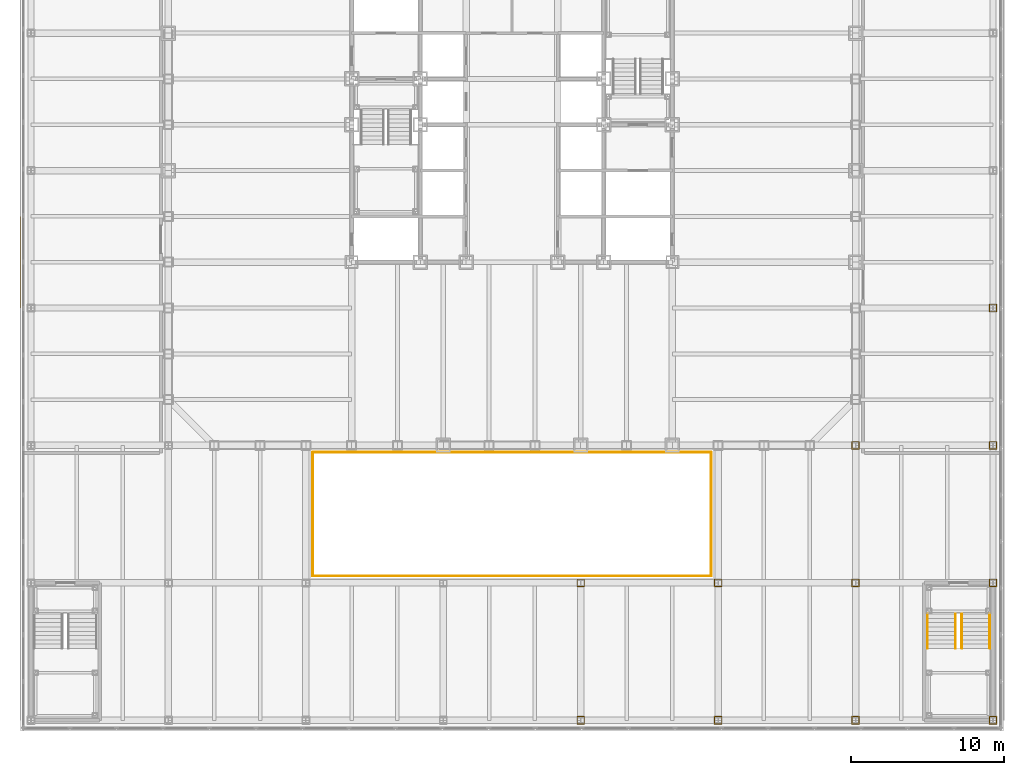
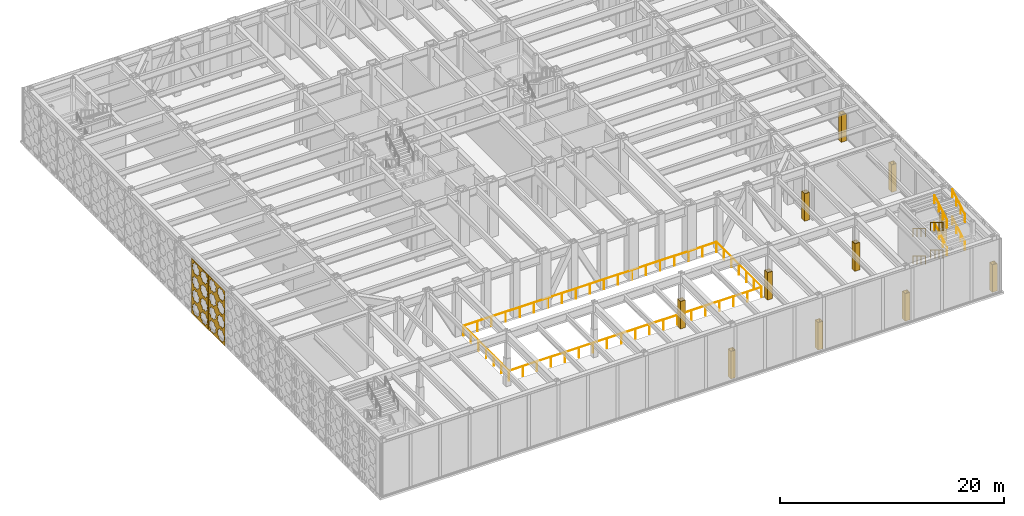
# One storey, part 25 of 32: 11 coverings, 10 railings, 2 shading devices.
"""IFC4 building model written with IfcOpenShell, lengths in metres."""

import ifcopenshell
import ifcopenshell.guid

model = None  # the IFC model being written
_history = None  # IfcOwnerHistory: only IFC2X3 demands one
_inside = {}  # id of a spatial element -> (the spatial element, [elements in it])
_under = {}  # id of a project, library or spatial element -> (it, [spatial elements below it])
_declared = {}  # id of a project -> (the project, [libraries it declares])
_typed = {}  # id of a type object -> (the type object, [elements of that type])
_made_of = {}  # id of a material, layer set ... -> (it, [elements and type objects made of it])


def new_model(schema):
    """Start an empty IFC model of exactly this schema.

    Asked for "IFC4X3", IfcOpenShell would pick the latest addendum, in which some entities
    have other attributes; the version numbers below select the first issue.
    IFC2X3 requires an IfcOwnerHistory on every rooted entity: one is made here for all.
    """
    global model, _history
    if schema == "IFC4X3":
        model = ifcopenshell.file(schema_version=(4, 3, 0, 0))
    else:
        model = ifcopenshell.file(schema=schema)
    _inside.clear()
    _under.clear()
    _declared.clear()
    _typed.clear()
    _made_of.clear()
    _history = None
    if model.schema == "IFC2X3":
        org = make("IfcOrganization", Name="unknown")
        user = make(
            "IfcPersonAndOrganization",
            ThePerson=make("IfcPerson", FamilyName="unknown"),
            TheOrganization=org,
        )
        app = make(
            "IfcApplication",
            ApplicationDeveloper=org,
            Version="unknown",
            ApplicationFullName="unknown",
            ApplicationIdentifier="unknown",
        )
        _history = make(
            "IfcOwnerHistory",
            OwningUser=user,
            OwningApplication=app,
            ChangeAction="ADDED",
            CreationDate=0,
        )
    return model


def make(cls, **values):
    """One entity of the class cls with the attributes given. An attribute that is None is left unset."""
    return model.create_entity(
        cls, **{name: value for name, value in values.items() if value is not None}
    )


def rooted(cls, **values):
    """An entity with a GlobalId (a new one), such as an element, a storey or a relation."""
    return make(cls, GlobalId=ifcopenshell.guid.new(), OwnerHistory=_history, **values)


def si_unit(unit_type, name, prefix=None):
    """IfcSIUnit, for example si_unit("LENGTHUNIT", "METRE", prefix="MILLI")."""
    return make("IfcSIUnit", UnitType=unit_type, Prefix=prefix, Name=name)


def assignment(units):
    """IfcUnitAssignment: the units of a project."""
    return None if units is None else make("IfcUnitAssignment", Units=units)


def point(xyz):
    """IfcCartesianPoint."""
    return None if xyz is None else make("IfcCartesianPoint", Coordinates=xyz)


def direction(xyz):
    """IfcDirection."""
    return None if xyz is None else make("IfcDirection", DirectionRatios=xyz)


def frame(location, z_axis=None, x_axis=None):
    """IfcAxis2Placement3D, a coordinate frame: its origin and axes. An axis left out is left unset."""
    return make(
        "IfcAxis2Placement3D",
        Location=point(location),
        Axis=direction(z_axis),
        RefDirection=direction(x_axis),
    )


def frame_2d(location, x_axis=None):
    """IfcAxis2Placement2D, a coordinate frame in the plane: its origin and x axis."""
    return make(
        "IfcAxis2Placement2D", Location=point(location), RefDirection=direction(x_axis)
    )


def origin():
    """The frame at (0, 0, 0) with its axes left unset."""
    return frame((0.0, 0.0, 0.0))


def origin_2d():
    """The frame at (0, 0) in the plane with its x axis left unset."""
    return frame_2d((0.0, 0.0))


def place(relative_to, where):
    """IfcLocalPlacement: puts the frame where relative to a parent placement (None: the world)."""
    return make(
        "IfcLocalPlacement", PlacementRelTo=relative_to, RelativePlacement=where
    )


def context(
    kind, dimensions, precision=None, world=None, true_north=None, identifier=None
):
    """IfcGeometricRepresentationContext, for example the 3D "Model" context."""
    return make(
        "IfcGeometricRepresentationContext",
        ContextIdentifier=identifier,
        ContextType=kind,
        CoordinateSpaceDimension=dimensions,
        Precision=precision,
        WorldCoordinateSystem=world,
        TrueNorth=true_north,
    )


def subcontext(parent, identifier, kind, view, scale=None):
    """IfcGeometricRepresentationSubContext, for example "Body" below "Model"."""
    return make(
        "IfcGeometricRepresentationSubContext",
        ContextIdentifier=identifier,
        ContextType=kind,
        ParentContext=parent,
        TargetScale=scale,
        TargetView=view,
    )


def project(units=None, contexts=None):
    """IfcProject with its units and contexts."""
    return rooted(
        "IfcProject",
        Name="project",
        RepresentationContexts=contexts,
        UnitsInContext=assignment(units),
    )


def spatial(cls, under=None, at=None, **own):
    """A site, building, storey or space (cls), placed at a placement, below another one or the project."""
    s = rooted(cls, ObjectPlacement=at, **own)
    if under is not None:
        _under.setdefault(under.id(), (under, []))[1].append(s)
    return s


def polyline(points):
    """IfcPolyline through the points."""
    return make("IfcPolyline", Points=[point(p) for p in points])


def profile(cls, at=None, kind="AREA", **sizes):
    """A parametric profile (cls). Its sizes go by their IFC names, for example OverallWidth=200.0."""
    return make(cls, ProfileType=kind, Position=at, **sizes)


def circle(**sizes):
    """IfcCircleProfileDef."""
    return profile("IfcCircleProfileDef", **sizes)


def outline(outer, holes=None, kind="AREA"):
    """IfcArbitraryClosedProfileDef: a profile drawn as a closed curve; with holes, ...WithVoids."""
    if holes is None:
        return make("IfcArbitraryClosedProfileDef", ProfileType=kind, OuterCurve=outer)
    return make(
        "IfcArbitraryProfileDefWithVoids",
        ProfileType=kind,
        OuterCurve=outer,
        InnerCurves=holes,
    )


def extrude(swept, where, along, depth):
    """IfcExtrudedAreaSolid: the profile swept, set in the frame where, extruded along a direction by depth."""
    return make(
        "IfcExtrudedAreaSolid",
        SweptArea=swept,
        Position=where,
        ExtrudedDirection=direction(along),
        Depth=depth,
    )


def shape(context_of_items, identifier, shape_type, items):
    """IfcShapeRepresentation: the items that make up one representation, for example the "Body"."""
    return make(
        "IfcShapeRepresentation",
        ContextOfItems=context_of_items,
        RepresentationIdentifier=identifier,
        RepresentationType=shape_type,
        Items=items,
    )


def material(Name=None, Category=None):
    """IfcMaterial."""
    return make("IfcMaterial", Name=Name, Category=Category)


def layer(
    of_material, thickness, ventilated=None, Name=None, Category=None, Priority=None
):
    """IfcMaterialLayer: one layer of a wall or slab, of a material (None: an air gap)."""
    return make(
        "IfcMaterialLayer",
        Material=of_material,
        LayerThickness=thickness,
        IsVentilated=ventilated,
        Name=Name,
        Category=Category,
        Priority=Priority,
    )


def layer_set(layers, Name=None):
    """IfcMaterialLayerSet."""
    return make("IfcMaterialLayerSet", MaterialLayers=layers, LayerSetName=Name)


def made_of(thing, what):
    """Note that an element or type object is made of a material, layer set ...; save() writes the relation."""
    if what is not None:
        _made_of.setdefault(what.id(), (what, []))[1].append(thing)
    return thing


def type_object(cls, material=None, **own):
    """A type object (cls), such as IfcWallType, which elements share."""
    return made_of(rooted(cls, **own), material)


def element(
    cls,
    number,
    at=None,
    inside=None,
    cuts=None,
    type_object=None,
    material=None,
    context=None,
    identifier="Body",
    shape_type=None,
    held_by="IfcProductDefinitionShape",
    body=None,
    shapes=None,
    **own,
):
    """One element of the class cls, such as IfcWall. Its Tag is "e" and its number.

    at: its placement. inside: the storey or other place that contains it. cuts: it is an
    opening in that element (IfcRelVoidsElement). A single representation is given by context,
    identifier, shape_type and body (its items); several are given by shapes. held_by: the class
    of the entity that holds the representations. save() writes the other relations.
    """
    e = rooted(cls, Tag="e%d" % number, ObjectPlacement=at, **own)
    if body is not None:
        shapes = [shape(context, identifier, shape_type, body)]
    if shapes is not None:
        e.Representation = make(held_by, Representations=shapes)
    if inside is not None:
        _inside.setdefault(inside.id(), (inside, []))[1].append(e)
    if cuts is not None:
        rooted(
            "IfcRelVoidsElement", RelatingBuildingElement=cuts, RelatedOpeningElement=e
        )
    if type_object is not None:
        _typed.setdefault(type_object.id(), (type_object, []))[1].append(e)
    return made_of(e, material)


def aggregate(whole, parts):
    """IfcRelAggregates: a whole, such as a stair, and the parts it consists of."""
    return rooted("IfcRelAggregates", RelatingObject=whole, RelatedObjects=parts)


def save(model, path):
    """Write the relations noted so far, then the file.

    IfcRelAggregates (storeys below a building ...), IfcRelContainedInSpatialStructure (elements
    in a storey), IfcRelDefinesByType, IfcRelAssociatesMaterial and IfcRelDeclares: one each for
    every whole, place, type object, material and project.
    """
    for whole, parts in _under.values():
        aggregate(whole, parts)
    for where, things in _inside.values():
        rooted(
            "IfcRelContainedInSpatialStructure",
            RelatedElements=things,
            RelatingStructure=where,
        )
    for kind, things in _typed.values():
        rooted("IfcRelDefinesByType", RelatedObjects=things, RelatingType=kind)
    for what, things in _made_of.values():
        rooted("IfcRelAssociatesMaterial", RelatedObjects=things, RelatingMaterial=what)
    for by, libraries in _declared.values():
        rooted("IfcRelDeclares", RelatingContext=by, RelatedDefinitions=libraries)
    model.write(path)


model = new_model("IFC4")

# Units and contexts
model_context = context("Model", 3, precision=1e-05, world=origin(), true_north=direction((0.0, 1.0)))
body_context = subcontext(model_context, "Body", "Model", "MODEL_VIEW")
ifc_project = project(units=[si_unit("LENGTHUNIT", "METRE"), si_unit("AREAUNIT", "SQUARE_METRE"), si_unit("VOLUMEUNIT", "CUBIC_METRE"), si_unit("PLANEANGLEUNIT", "RADIAN"), si_unit("MASSUNIT", "GRAM", prefix="KILO")], contexts=[model_context])

# Site, building, storey
site_placement = place(None, origin())
site = spatial("IfcSite", under=ifc_project, at=site_placement, CompositionType="ELEMENT")
building_placement = place(site_placement, origin())
building = spatial("IfcBuilding", under=site, at=building_placement, Name="Chuquiago Exchange Tower", CompositionType="ELEMENT")
storey_placement = place(building_placement, frame((0.0, 0.0, 13.5)))
storey = spatial("IfcBuildingStorey", under=building, at=storey_placement, Name="L02", CompositionType="ELEMENT", Elevation=13.5)

# Coverings
ifc_material_1 = material(Name="Pale metal sheet casing on rails", Category="aluminium")
ifc_layer_1 = layer(ifc_material_1, 0.050048828125)
ifc_layer_set_1 = layer_set([ifc_layer_1], Name="CS1 column casing 50")
covering_type = type_object("IfcCoveringType", Name="CS1 column casing 50", PredefinedType="CLADDING", material=ifc_layer_set_1)
covering_1_placement = place(storey_placement, origin())
element("IfcCovering", 1, at=covering_1_placement, inside=storey, type_object=covering_type, Name="Column casing L02", PredefinedType="CLADDING", context=body_context, shape_type="SweptSolid", body=[
    extrude(outline(polyline([(26.744384765625, -18.26708984375), (27.255615234375, -18.26708984375), (27.255615234375, -17.73291015625), (26.744384765625, -17.73291015625), (26.744384765625, -18.26708984375)]), holes=[polyline([(26.794189453125, -18.21728515625), (26.794189453125, -17.78271484375), (27.205810546875, -17.78271484375), (27.205810546875, -18.21728515625), (26.794189453125, -18.21728515625)])]), origin(), (0.0, 0.0, 1.0), 3.0),
])
covering_2_placement = place(storey_placement, origin())
element("IfcCovering", 2, at=covering_2_placement, inside=storey, type_object=covering_type, Name="Column casing L02", PredefinedType="CLADDING", context=body_context, shape_type="SweptSolid", body=[
    extrude(outline(polyline([(26.744384765625, -9.26708984375), (27.255615234375, -9.26708984375), (27.255615234375, -8.73291015625), (26.744384765625, -8.73291015625), (26.744384765625, -9.26708984375)]), holes=[polyline([(26.794189453125, -9.21728515625), (26.794189453125, -8.78271484375), (27.205810546875, -8.78271484375), (27.205810546875, -9.21728515625), (26.794189453125, -9.21728515625)])]), origin(), (0.0, 0.0, 1.0), 3.0),
])
covering_3_placement = place(storey_placement, origin())
element("IfcCovering", 3, at=covering_3_placement, inside=storey, type_object=covering_type, Name="Column casing L02", PredefinedType="CLADDING", context=body_context, shape_type="SweptSolid", body=[
    extrude(outline(polyline([(35.744384765625, -18.26708984375), (36.255615234375, -18.26708984375), (36.255615234375, -17.73291015625), (35.744384765625, -17.73291015625), (35.744384765625, -18.26708984375)]), holes=[polyline([(35.794189453125, -18.21728515625), (35.794189453125, -17.78271484375), (36.205810546875, -17.78271484375), (36.205810546875, -18.21728515625), (35.794189453125, -18.21728515625)])]), origin(), (0.0, 0.0, 1.0), 3.0),
])
covering_4_placement = place(storey_placement, origin())
element("IfcCovering", 4, at=covering_4_placement, inside=storey, type_object=covering_type, Name="Column casing L02", PredefinedType="CLADDING", context=body_context, shape_type="SweptSolid", body=[
    extrude(outline(polyline([(35.744384765625, -9.26708984375), (36.255615234375, -9.26708984375), (36.255615234375, -8.73291015625), (35.744384765625, -8.73291015625), (35.744384765625, -9.26708984375)]), holes=[polyline([(35.794189453125, -9.21728515625), (35.794189453125, -8.78271484375), (36.205810546875, -8.78271484375), (36.205810546875, -9.21728515625), (35.794189453125, -9.21728515625)])]), origin(), (0.0, 0.0, 1.0), 3.0),
])
covering_5_placement = place(storey_placement, origin())
element("IfcCovering", 5, at=covering_5_placement, inside=storey, type_object=covering_type, Name="Column casing L02", PredefinedType="CLADDING", context=body_context, shape_type="SweptSolid", body=[
    extrude(outline(polyline([(44.744384765625, -18.26708984375), (45.255615234375, -18.26708984375), (45.255615234375, -17.73291015625), (44.744384765625, -17.73291015625), (44.744384765625, -18.26708984375)]), holes=[polyline([(44.794189453125, -18.21728515625), (44.794189453125, -17.78271484375), (45.205810546875, -17.78271484375), (45.205810546875, -18.21728515625), (44.794189453125, -18.21728515625)])]), origin(), (0.0, 0.0, 1.0), 3.0),
])
covering_6_placement = place(storey_placement, origin())
element("IfcCovering", 6, at=covering_6_placement, inside=storey, type_object=covering_type, Name="Column casing L02", PredefinedType="CLADDING", context=body_context, shape_type="SweptSolid", body=[
    extrude(outline(polyline([(44.744384765625, -9.26708984375), (45.255615234375, -9.26708984375), (45.255615234375, -8.73291015625), (44.744384765625, -8.73291015625), (44.744384765625, -9.26708984375)]), holes=[polyline([(44.794189453125, -9.21728515625), (44.794189453125, -8.78271484375), (45.205810546875, -8.78271484375), (45.205810546875, -9.21728515625), (44.794189453125, -9.21728515625)])]), origin(), (0.0, 0.0, 1.0), 3.0),
])
covering_7_placement = place(storey_placement, origin())
element("IfcCovering", 7, at=covering_7_placement, inside=storey, type_object=covering_type, Name="Column casing L02", PredefinedType="CLADDING", context=body_context, shape_type="SweptSolid", body=[
    extrude(outline(polyline([(44.744384765625, -0.26708984375), (45.255615234375, -0.26708984375), (45.255615234375, 0.26708984375), (44.744384765625, 0.26708984375), (44.744384765625, -0.26708984375)]), holes=[polyline([(44.794189453125, -0.21728515625), (44.794189453125, 0.21728515625), (45.205810546875, 0.21728515625), (45.205810546875, -0.21728515625), (44.794189453125, -0.21728515625)])]), origin(), (0.0, 0.0, 1.0), 3.0),
])
covering_8_placement = place(storey_placement, origin())
element("IfcCovering", 8, at=covering_8_placement, inside=storey, type_object=covering_type, Name="Column casing L02", PredefinedType="CLADDING", context=body_context, shape_type="SweptSolid", body=[
    extrude(outline(polyline([(53.744384765625, -18.26708984375), (54.255615234375, -18.26708984375), (54.255615234375, -17.73291015625), (53.744384765625, -17.73291015625), (53.744384765625, -18.26708984375)]), holes=[polyline([(53.794189453125, -18.21728515625), (53.794189453125, -17.78271484375), (54.205810546875, -17.78271484375), (54.205810546875, -18.21728515625), (53.794189453125, -18.21728515625)])]), origin(), (0.0, 0.0, 1.0), 3.0),
])
covering_9_placement = place(storey_placement, origin())
element("IfcCovering", 9, at=covering_9_placement, inside=storey, type_object=covering_type, Name="Column casing L02", PredefinedType="CLADDING", context=body_context, shape_type="SweptSolid", body=[
    extrude(outline(polyline([(53.744384765625, -9.26708984375), (54.255615234375, -9.26708984375), (54.255615234375, -8.73291015625), (53.744384765625, -8.73291015625), (53.744384765625, -9.26708984375)]), holes=[polyline([(53.794189453125, -9.21728515625), (53.794189453125, -8.78271484375), (54.205810546875, -8.78271484375), (54.205810546875, -9.21728515625), (53.794189453125, -9.21728515625)])]), origin(), (0.0, 0.0, 1.0), 3.0),
])
covering_10_placement = place(storey_placement, origin())
element("IfcCovering", 10, at=covering_10_placement, inside=storey, type_object=covering_type, Name="Column casing L02", PredefinedType="CLADDING", context=body_context, shape_type="SweptSolid", body=[
    extrude(outline(polyline([(53.744384765625, -0.26708984375), (54.255615234375, -0.26708984375), (54.255615234375, 0.26708984375), (53.744384765625, 0.26708984375), (53.744384765625, -0.26708984375)]), holes=[polyline([(53.794189453125, -0.21728515625), (53.794189453125, 0.21728515625), (54.205810546875, 0.21728515625), (54.205810546875, -0.21728515625), (53.794189453125, -0.21728515625)])]), origin(), (0.0, 0.0, 1.0), 3.0),
])
covering_11_placement = place(storey_placement, origin())
element("IfcCovering", 11, at=covering_11_placement, inside=storey, type_object=covering_type, Name="Column casing L02", PredefinedType="CLADDING", context=body_context, shape_type="SweptSolid", body=[
    extrude(outline(polyline([(53.744384765625, 8.73291015625), (54.255615234375, 8.73291015625), (54.255615234375, 9.26708984375), (53.744384765625, 9.26708984375), (53.744384765625, 8.73291015625)]), holes=[polyline([(53.794189453125, 8.78271484375), (53.794189453125, 9.21728515625), (54.205810546875, 9.21728515625), (54.205810546875, 8.78271484375), (53.794189453125, 8.78271484375)])]), origin(), (0.0, 0.0, 1.0), 3.0),
])

# Railings
ifc_material_2 = material(Name="Pale metal guard with safety glass infill", Category="glass")
railing_type_1 = type_object("IfcRailingType", Name="GR1 guard 1100", PredefinedType="GUARDRAIL", material=ifc_material_2)
railing_1_placement = place(storey_placement, frame((9.449951171875, -0.449951171875, 0.0)))
element("IfcRailing", 12, at=railing_1_placement, inside=storey, type_object=railing_type_1, Name="Atrium guard L02 west and south", PredefinedType="GUARDRAIL", context=body_context, shape_type="SweptSolid", body=[
    extrude(circle(Radius=0.02392578125, at=origin_2d()), frame((0.0, 0.0, 1.076171875), z_axis=(0.0, -1.0, 0.0), x_axis=(1.0, 0.0, 0.0)), (0.0, 0.0, 1.0), 8.10009765625),
    extrude(circle(Radius=0.02392578125, at=origin_2d()), frame((0.0, -8.10009765625, 1.076171875), z_axis=(1.0, 0.0, 0.0), x_axis=(0.0, 1.0, 0.0)), (0.0, 0.0, 1.0), 26.10009765625),
    extrude(circle(Radius=0.02099609375, at=origin_2d()), origin(), (0.0, 0.0, 1.0), 1.052001953125),
    extrude(circle(Radius=0.02099609375, at=origin_2d()), frame((0.0, -1.35009765625, 0.0)), (0.0, 0.0, 1.0), 1.052001953125),
    extrude(circle(Radius=0.02099609375, at=origin_2d()), frame((0.0, -2.699951171875, 0.0)), (0.0, 0.0, 1.0), 1.052001953125),
    extrude(circle(Radius=0.02099609375, at=origin_2d()), frame((0.0, -4.050048828125, 0.0)), (0.0, 0.0, 1.0), 1.052001953125),
    extrude(circle(Radius=0.02099609375, at=origin_2d()), frame((0.0, -5.400146484375, 0.0)), (0.0, 0.0, 1.0), 1.052001953125),
    extrude(circle(Radius=0.02099609375, at=origin_2d()), frame((0.0, -6.75, 0.0)), (0.0, 0.0, 1.0), 1.052001953125),
    extrude(circle(Radius=0.02099609375, at=origin_2d()), frame((0.0, -8.10009765625, 0.0)), (0.0, 0.0, 1.0), 1.052001953125),
    extrude(circle(Radius=0.02099609375, at=origin_2d()), frame((1.449951171875, -8.10009765625, 0.0)), (0.0, 0.0, 1.0), 1.052001953125),
    extrude(circle(Radius=0.02099609375, at=origin_2d()), frame((2.89990234375, -8.10009765625, 0.0)), (0.0, 0.0, 1.0), 1.052001953125),
    extrude(circle(Radius=0.02099609375, at=origin_2d()), frame((4.35009765625, -8.10009765625, 0.0)), (0.0, 0.0, 1.0), 1.052001953125),
    extrude(circle(Radius=0.02099609375, at=origin_2d()), frame((5.800048828125, -8.10009765625, 0.0)), (0.0, 0.0, 1.0), 1.052001953125),
    extrude(circle(Radius=0.02099609375, at=origin_2d()), frame((7.25, -8.10009765625, 0.0)), (0.0, 0.0, 1.0), 1.052001953125),
    extrude(circle(Radius=0.02099609375, at=origin_2d()), frame((8.699951171875, -8.10009765625, 0.0)), (0.0, 0.0, 1.0), 1.052001953125),
    extrude(circle(Radius=0.02099609375, at=origin_2d()), frame((10.150146484375, -8.10009765625, 0.0)), (0.0, 0.0, 1.0), 1.052001953125),
    extrude(circle(Radius=0.02099609375, at=origin_2d()), frame((11.60009765625, -8.10009765625, 0.0)), (0.0, 0.0, 1.0), 1.052001953125),
    extrude(circle(Radius=0.02099609375, at=origin_2d()), frame((13.050048828125, -8.10009765625, 0.0)), (0.0, 0.0, 1.0), 1.052001953125),
    extrude(circle(Radius=0.02099609375, at=origin_2d()), frame((14.5, -8.10009765625, 0.0)), (0.0, 0.0, 1.0), 1.052001953125),
    extrude(circle(Radius=0.02099609375, at=origin_2d()), frame((15.949951171875, -8.10009765625, 0.0)), (0.0, 0.0, 1.0), 1.052001953125),
    extrude(circle(Radius=0.02099609375, at=origin_2d()), frame((17.400146484375, -8.10009765625, 0.0)), (0.0, 0.0, 1.0), 1.052001953125),
    extrude(circle(Radius=0.02099609375, at=origin_2d()), frame((18.85009765625, -8.10009765625, 0.0)), (0.0, 0.0, 1.0), 1.052001953125),
    extrude(circle(Radius=0.02099609375, at=origin_2d()), frame((20.300048828125, -8.10009765625, 0.0)), (0.0, 0.0, 1.0), 1.052001953125),
    extrude(circle(Radius=0.02099609375, at=origin_2d()), frame((21.75, -8.10009765625, 0.0)), (0.0, 0.0, 1.0), 1.052001953125),
    extrude(circle(Radius=0.02099609375, at=origin_2d()), frame((23.2001953125, -8.10009765625, 0.0)), (0.0, 0.0, 1.0), 1.052001953125),
    extrude(circle(Radius=0.02099609375, at=origin_2d()), frame((24.650146484375, -8.10009765625, 0.0)), (0.0, 0.0, 1.0), 1.052001953125),
    extrude(circle(Radius=0.02099609375, at=origin_2d()), frame((26.10009765625, -8.10009765625, 0.0)), (0.0, 0.0, 1.0), 1.052001953125),
])
railing_2_placement = place(storey_placement, frame((35.550048828125, -8.550048828125, 0.0)))
element("IfcRailing", 13, at=railing_2_placement, inside=storey, type_object=railing_type_1, Name="Atrium guard L02 east and north", PredefinedType="GUARDRAIL", context=body_context, shape_type="SweptSolid", body=[
    extrude(circle(Radius=0.02392578125, at=origin_2d()), frame((0.0, 0.0, 1.076171875), z_axis=(0.0, 1.0, 0.0), x_axis=(-1.0, 0.0, 0.0)), (0.0, 0.0, 1.0), 8.10009765625),
    extrude(circle(Radius=0.02392578125, at=origin_2d()), frame((0.0, 8.10009765625, 1.076171875), z_axis=(-1.0, 0.0, 0.0), x_axis=(0.0, -1.0, 0.0)), (0.0, 0.0, 1.0), 26.10009765625),
    extrude(circle(Radius=0.02099609375, at=origin_2d()), origin(), (0.0, 0.0, 1.0), 1.052001953125),
    extrude(circle(Radius=0.02099609375, at=origin_2d()), frame((0.0, 1.35009765625, 0.0)), (0.0, 0.0, 1.0), 1.052001953125),
    extrude(circle(Radius=0.02099609375, at=origin_2d()), frame((0.0, 2.699951171875, 0.0)), (0.0, 0.0, 1.0), 1.052001953125),
    extrude(circle(Radius=0.02099609375, at=origin_2d()), frame((0.0, 4.050048828125, 0.0)), (0.0, 0.0, 1.0), 1.052001953125),
    extrude(circle(Radius=0.02099609375, at=origin_2d()), frame((0.0, 5.400146484375, 0.0)), (0.0, 0.0, 1.0), 1.052001953125),
    extrude(circle(Radius=0.02099609375, at=origin_2d()), frame((0.0, 6.75, 0.0)), (0.0, 0.0, 1.0), 1.052001953125),
    extrude(circle(Radius=0.02099609375, at=origin_2d()), frame((0.0, 8.10009765625, 0.0)), (0.0, 0.0, 1.0), 1.052001953125),
    extrude(circle(Radius=0.02099609375, at=origin_2d()), frame((-1.449951171875, 8.10009765625, 0.0)), (0.0, 0.0, 1.0), 1.052001953125),
    extrude(circle(Radius=0.02099609375, at=origin_2d()), frame((-2.89990234375, 8.10009765625, 0.0)), (0.0, 0.0, 1.0), 1.052001953125),
    extrude(circle(Radius=0.02099609375, at=origin_2d()), frame((-4.35009765625, 8.10009765625, 0.0)), (0.0, 0.0, 1.0), 1.052001953125),
    extrude(circle(Radius=0.02099609375, at=origin_2d()), frame((-5.800048828125, 8.10009765625, 0.0)), (0.0, 0.0, 1.0), 1.052001953125),
    extrude(circle(Radius=0.02099609375, at=origin_2d()), frame((-7.25, 8.10009765625, 0.0)), (0.0, 0.0, 1.0), 1.052001953125),
    extrude(circle(Radius=0.02099609375, at=origin_2d()), frame((-8.699951171875, 8.10009765625, 0.0)), (0.0, 0.0, 1.0), 1.052001953125),
    extrude(circle(Radius=0.02099609375, at=origin_2d()), frame((-10.150146484375, 8.10009765625, 0.0)), (0.0, 0.0, 1.0), 1.052001953125),
    extrude(circle(Radius=0.02099609375, at=origin_2d()), frame((-11.60009765625, 8.10009765625, 0.0)), (0.0, 0.0, 1.0), 1.052001953125),
    extrude(circle(Radius=0.02099609375, at=origin_2d()), frame((-13.050048828125, 8.10009765625, 0.0)), (0.0, 0.0, 1.0), 1.052001953125),
    extrude(circle(Radius=0.02099609375, at=origin_2d()), frame((-14.5, 8.10009765625, 0.0)), (0.0, 0.0, 1.0), 1.052001953125),
    extrude(circle(Radius=0.02099609375, at=origin_2d()), frame((-15.949951171875, 8.10009765625, 0.0)), (0.0, 0.0, 1.0), 1.052001953125),
    extrude(circle(Radius=0.02099609375, at=origin_2d()), frame((-17.400146484375, 8.10009765625, 0.0)), (0.0, 0.0, 1.0), 1.052001953125),
    extrude(circle(Radius=0.02099609375, at=origin_2d()), frame((-18.85009765625, 8.10009765625, 0.0)), (0.0, 0.0, 1.0), 1.052001953125),
    extrude(circle(Radius=0.02099609375, at=origin_2d()), frame((-20.300048828125, 8.10009765625, 0.0)), (0.0, 0.0, 1.0), 1.052001953125),
    extrude(circle(Radius=0.02099609375, at=origin_2d()), frame((-21.75, 8.10009765625, 0.0)), (0.0, 0.0, 1.0), 1.052001953125),
    extrude(circle(Radius=0.02099609375, at=origin_2d()), frame((-23.2001953125, 8.10009765625, 0.0)), (0.0, 0.0, 1.0), 1.052001953125),
    extrude(circle(Radius=0.02099609375, at=origin_2d()), frame((-24.650146484375, 8.10009765625, 0.0)), (0.0, 0.0, 1.0), 1.052001953125),
    extrude(circle(Radius=0.02099609375, at=origin_2d()), frame((-26.10009765625, 8.10009765625, 0.0)), (0.0, 0.0, 1.0), 1.052001953125),
])
ifc_material_3 = material(Name="Pale metal handrail", Category="steel")
railing_type_2 = type_object("IfcRailingType", Name="HR1 handrail 900", PredefinedType="HANDRAIL", material=ifc_material_3)
for number, where, name in (
    (14, (49.7099609375, -11.050048828125, 0.166748046875), "Handrail PS2 L02 flight 1"),
    (15, (51.5400390625, -11.050048828125, 0.166748046875), "Handrail PS2 L02 flight 1"),
):
    element("IfcRailing", number, at=place(storey_placement, frame(where)), inside=storey, type_object=railing_type_2, Name=name, PredefinedType="HANDRAIL", context=body_context, shape_type="SweptSolid", body=[
        extrude(circle(Radius=0.02392578125, at=origin_2d()), frame((0.0, 0.0, 0.8759765625), z_axis=(0.0, -0.859305625298, 0.511462454469), x_axis=(1.0, 0.0, 0.0)), (0.0, 0.0, 1.0), 2.606689453125),
        extrude(circle(Radius=0.02099609375, at=origin_2d()), origin(), (0.0, 0.0, 1.0), 0.851806640625),
        extrude(circle(Radius=0.02099609375, at=origin_2d()), frame((0.0, -0.74658203125, 0.4443359375)), (0.0, 0.0, 1.0), 0.851806640625),
        extrude(circle(Radius=0.02099609375, at=origin_2d()), frame((0.0, -1.493408203125, 0.888916015625)), (0.0, 0.0, 1.0), 0.851806640625),
        extrude(circle(Radius=0.02099609375, at=origin_2d()), frame((0.0, -2.239990234375, 1.333251953125)), (0.0, 0.0, 1.0), 0.851806640625),
    ])
for number, where, name in (
    (16, (53.7900390625, -13.2900390625, 1.666748046875), "Handrail PS2 L02 flight 2"),
    (17, (51.9599609375, -13.2900390625, 1.666748046875), "Handrail PS2 L02 flight 2"),
):
    element("IfcRailing", number, at=place(storey_placement, frame(where)), inside=storey, type_object=railing_type_2, Name=name, PredefinedType="HANDRAIL", context=body_context, shape_type="SweptSolid", body=[
        extrude(circle(Radius=0.02392578125, at=origin_2d()), frame((0.0, 0.0, 0.8759765625), z_axis=(0.0, 0.859305625298, 0.511462454469), x_axis=(-1.0, 0.0, 0.0)), (0.0, 0.0, 1.0), 2.606689453125),
        extrude(circle(Radius=0.02099609375, at=origin_2d()), origin(), (0.0, 0.0, 1.0), 0.851806640625),
        extrude(circle(Radius=0.02099609375, at=origin_2d()), frame((0.0, 0.74658203125, 0.4443359375)), (0.0, 0.0, 1.0), 0.851806640625),
        extrude(circle(Radius=0.02099609375, at=origin_2d()), frame((0.0, 1.493408203125, 0.888916015625)), (0.0, 0.0, 1.0), 0.851806640625),
        extrude(circle(Radius=0.02099609375, at=origin_2d()), frame((0.0, 2.239990234375, 1.333251953125)), (0.0, 0.0, 1.0), 0.851806640625),
    ])
for number, where, name in (
    (18, (49.7099609375, -11.050048828125, 3.166748046875), "Handrail PS2 L02 flight 3"),
    (19, (51.5400390625, -11.050048828125, 3.166748046875), "Handrail PS2 L02 flight 3"),
):
    element("IfcRailing", number, at=place(storey_placement, frame(where)), inside=storey, type_object=railing_type_2, Name=name, PredefinedType="HANDRAIL", context=body_context, shape_type="SweptSolid", body=[
        extrude(circle(Radius=0.02392578125, at=origin_2d()), frame((0.0, 0.0, 0.8759765625), z_axis=(0.0, -0.859305625298, 0.511462454469), x_axis=(1.0, 0.0, 0.0)), (0.0, 0.0, 1.0), 2.606689453125),
        extrude(circle(Radius=0.02099609375, at=origin_2d()), origin(), (0.0, 0.0, 1.0), 0.851806640625),
        extrude(circle(Radius=0.02099609375, at=origin_2d()), frame((0.0, -0.74658203125, 0.4443359375)), (0.0, 0.0, 1.0), 0.851806640625),
        extrude(circle(Radius=0.02099609375, at=origin_2d()), frame((0.0, -1.493408203125, 0.888916015625)), (0.0, 0.0, 1.0), 0.851806640625),
        extrude(circle(Radius=0.02099609375, at=origin_2d()), frame((0.0, -2.239990234375, 1.333251953125)), (0.0, 0.0, 1.0), 0.851806640625),
    ])
for number, where, name in (
    (20, (53.7900390625, -13.2900390625, 4.666748046875), "Handrail PS2 L02 flight 4"),
    (21, (51.9599609375, -13.2900390625, 4.666748046875), "Handrail PS2 L02 flight 4"),
):
    element("IfcRailing", number, at=place(storey_placement, frame(where)), inside=storey, type_object=railing_type_2, Name=name, PredefinedType="HANDRAIL", context=body_context, shape_type="SweptSolid", body=[
        extrude(circle(Radius=0.02392578125, at=origin_2d()), frame((0.0, 0.0, 0.8759765625), z_axis=(0.0, 0.859305625298, 0.511462454469), x_axis=(-1.0, 0.0, 0.0)), (0.0, 0.0, 1.0), 2.606689453125),
        extrude(circle(Radius=0.02099609375, at=origin_2d()), origin(), (0.0, 0.0, 1.0), 0.851806640625),
        extrude(circle(Radius=0.02099609375, at=origin_2d()), frame((0.0, 0.74658203125, 0.4443359375)), (0.0, 0.0, 1.0), 0.851806640625),
        extrude(circle(Radius=0.02099609375, at=origin_2d()), frame((0.0, 1.493408203125, 0.888916015625)), (0.0, 0.0, 1.0), 0.851806640625),
        extrude(circle(Radius=0.02099609375, at=origin_2d()), frame((0.0, 2.239990234375, 1.333251953125)), (0.0, 0.0, 1.0), 0.851806640625),
    ])

# Shading devices
ifc_material_4 = material(Name="Pale metal, perforated in an eight-point star pattern", Category="aluminium")
ifc_layer_2 = layer(ifc_material_4, 0.02001953125)
ifc_layer_set_2 = layer_set([ifc_layer_2], Name="SC1 mashrabiya screen 20")
shading_device_type = type_object("IfcShadingDeviceType", Name="SC1 mashrabiya screen 20", PredefinedType="SHUTTER", material=ifc_layer_set_2)
shading_device_1_placement = place(storey_placement, frame((-9.699951171875, 11.989990234375, -0.199951171875), z_axis=(0.0, 0.0, 1.0), x_axis=(0.0, -1.0, 0.0)))
element("IfcShadingDevice", 22, at=shading_device_1_placement, inside=storey, type_object=shading_device_type, Name="Mashrabiya screen L02 W 10", PredefinedType="SHUTTER", context=body_context, shape_type="SweptSolid", body=[
    extrude(outline(polyline([(0.0, 0.0), (2.97998046875, 0.0), (2.97998046875, 6.0), (0.0, 6.0), (0.0, 0.0)]), holes=[polyline([(1.26953125, 0.764892578125), (1.378173828125, 1.02734375), (1.115966796875, 1.135986328125), (1.00732421875, 1.398193359375), (0.7451171875, 1.28955078125), (0.482666015625, 1.398193359375), (0.3740234375, 1.135986328125), (0.11181640625, 1.02734375), (0.220458984375, 0.764892578125), (0.11181640625, 0.502685546875), (0.3740234375, 0.39404296875), (0.482666015625, 0.1318359375), (0.7451171875, 0.240234375), (1.00732421875, 0.1318359375), (1.115966796875, 0.39404296875), (1.378173828125, 0.502685546875), (1.26953125, 0.764892578125)]), polyline([(2.759521484375, 0.764892578125), (2.8681640625, 1.02734375), (2.60595703125, 1.135986328125), (2.497314453125, 1.398193359375), (2.235107421875, 1.28955078125), (1.97265625, 1.398193359375), (1.864013671875, 1.135986328125), (1.601806640625, 1.02734375), (1.71044921875, 0.764892578125), (1.601806640625, 0.502685546875), (1.864013671875, 0.39404296875), (1.97265625, 0.1318359375), (2.235107421875, 0.240234375), (2.497314453125, 0.1318359375), (2.60595703125, 0.39404296875), (2.8681640625, 0.502685546875), (2.759521484375, 0.764892578125)]), polyline([(1.26953125, 2.2548828125), (1.378173828125, 2.517333984375), (1.115966796875, 2.6259765625), (1.00732421875, 2.88818359375), (0.7451171875, 2.779541015625), (0.482666015625, 2.88818359375), (0.3740234375, 2.6259765625), (0.11181640625, 2.517333984375), (0.220458984375, 2.2548828125), (0.11181640625, 1.99267578125), (0.3740234375, 1.884033203125), (0.482666015625, 1.621826171875), (0.7451171875, 1.73046875), (1.00732421875, 1.621826171875), (1.115966796875, 1.884033203125), (1.378173828125, 1.99267578125), (1.26953125, 2.2548828125)]), polyline([(2.759521484375, 2.2548828125), (2.8681640625, 2.517333984375), (2.60595703125, 2.6259765625), (2.497314453125, 2.88818359375), (2.235107421875, 2.779541015625), (1.97265625, 2.88818359375), (1.864013671875, 2.6259765625), (1.601806640625, 2.517333984375), (1.71044921875, 2.2548828125), (1.601806640625, 1.99267578125), (1.864013671875, 1.884033203125), (1.97265625, 1.621826171875), (2.235107421875, 1.73046875), (2.497314453125, 1.621826171875), (2.60595703125, 1.884033203125), (2.8681640625, 1.99267578125), (2.759521484375, 2.2548828125)]), polyline([(1.26953125, 3.744873046875), (1.378173828125, 4.00732421875), (1.115966796875, 4.115966796875), (1.00732421875, 4.378173828125), (0.7451171875, 4.26953125), (0.482666015625, 4.378173828125), (0.3740234375, 4.115966796875), (0.11181640625, 4.00732421875), (0.220458984375, 3.744873046875), (0.11181640625, 3.482666015625), (0.3740234375, 3.3740234375), (0.482666015625, 3.11181640625), (0.7451171875, 3.220458984375), (1.00732421875, 3.11181640625), (1.115966796875, 3.3740234375), (1.378173828125, 3.482666015625), (1.26953125, 3.744873046875)]), polyline([(2.759521484375, 3.744873046875), (2.8681640625, 4.00732421875), (2.60595703125, 4.115966796875), (2.497314453125, 4.378173828125), (2.235107421875, 4.26953125), (1.97265625, 4.378173828125), (1.864013671875, 4.115966796875), (1.601806640625, 4.00732421875), (1.71044921875, 3.744873046875), (1.601806640625, 3.482666015625), (1.864013671875, 3.3740234375), (1.97265625, 3.11181640625), (2.235107421875, 3.220458984375), (2.497314453125, 3.11181640625), (2.60595703125, 3.3740234375), (2.8681640625, 3.482666015625), (2.759521484375, 3.744873046875)]), polyline([(1.26953125, 5.23486328125), (1.378173828125, 5.497314453125), (1.115966796875, 5.60595703125), (1.00732421875, 5.8681640625), (0.7451171875, 5.759521484375), (0.482666015625, 5.8681640625), (0.3740234375, 5.60595703125), (0.11181640625, 5.497314453125), (0.220458984375, 5.23486328125), (0.11181640625, 4.97265625), (0.3740234375, 4.864013671875), (0.482666015625, 4.601806640625), (0.7451171875, 4.71044921875), (1.00732421875, 4.601806640625), (1.115966796875, 4.864013671875), (1.378173828125, 4.97265625), (1.26953125, 5.23486328125)]), polyline([(2.759521484375, 5.23486328125), (2.8681640625, 5.497314453125), (2.60595703125, 5.60595703125), (2.497314453125, 5.8681640625), (2.235107421875, 5.759521484375), (1.97265625, 5.8681640625), (1.864013671875, 5.60595703125), (1.601806640625, 5.497314453125), (1.71044921875, 5.23486328125), (1.601806640625, 4.97265625), (1.864013671875, 4.864013671875), (1.97265625, 4.601806640625), (2.235107421875, 4.71044921875), (2.497314453125, 4.601806640625), (2.60595703125, 4.864013671875), (2.8681640625, 4.97265625), (2.759521484375, 5.23486328125)])]), frame((0.0, 0.0, 0.0), z_axis=(0.0, -1.0, 0.0), x_axis=(1.0, 0.0, 0.0)), (0.0, 0.0, 1.0), 0.02001953125),
])
shading_device_2_placement = place(storey_placement, frame((-9.699951171875, 14.989990234375, -0.199951171875), z_axis=(0.0, 0.0, 1.0), x_axis=(0.0, -1.0, 0.0)))
element("IfcShadingDevice", 23, at=shading_device_2_placement, inside=storey, type_object=shading_device_type, Name="Mashrabiya screen L02 W 11", PredefinedType="SHUTTER", context=body_context, shape_type="SweptSolid", body=[
    extrude(outline(polyline([(0.0, 0.0), (2.97998046875, 0.0), (2.97998046875, 6.0), (0.0, 6.0), (0.0, 0.0)]), holes=[polyline([(1.26953125, 0.764892578125), (1.378173828125, 1.02734375), (1.115966796875, 1.135986328125), (1.00732421875, 1.398193359375), (0.7451171875, 1.28955078125), (0.482666015625, 1.398193359375), (0.3740234375, 1.135986328125), (0.11181640625, 1.02734375), (0.220458984375, 0.764892578125), (0.11181640625, 0.502685546875), (0.3740234375, 0.39404296875), (0.482666015625, 0.1318359375), (0.7451171875, 0.240234375), (1.00732421875, 0.1318359375), (1.115966796875, 0.39404296875), (1.378173828125, 0.502685546875), (1.26953125, 0.764892578125)]), polyline([(2.759521484375, 0.764892578125), (2.8681640625, 1.02734375), (2.60595703125, 1.135986328125), (2.497314453125, 1.398193359375), (2.235107421875, 1.28955078125), (1.97265625, 1.398193359375), (1.864013671875, 1.135986328125), (1.601806640625, 1.02734375), (1.71044921875, 0.764892578125), (1.601806640625, 0.502685546875), (1.864013671875, 0.39404296875), (1.97265625, 0.1318359375), (2.235107421875, 0.240234375), (2.497314453125, 0.1318359375), (2.60595703125, 0.39404296875), (2.8681640625, 0.502685546875), (2.759521484375, 0.764892578125)]), polyline([(1.26953125, 2.2548828125), (1.378173828125, 2.517333984375), (1.115966796875, 2.6259765625), (1.00732421875, 2.88818359375), (0.7451171875, 2.779541015625), (0.482666015625, 2.88818359375), (0.3740234375, 2.6259765625), (0.11181640625, 2.517333984375), (0.220458984375, 2.2548828125), (0.11181640625, 1.99267578125), (0.3740234375, 1.884033203125), (0.482666015625, 1.621826171875), (0.7451171875, 1.73046875), (1.00732421875, 1.621826171875), (1.115966796875, 1.884033203125), (1.378173828125, 1.99267578125), (1.26953125, 2.2548828125)]), polyline([(2.759521484375, 2.2548828125), (2.8681640625, 2.517333984375), (2.60595703125, 2.6259765625), (2.497314453125, 2.88818359375), (2.235107421875, 2.779541015625), (1.97265625, 2.88818359375), (1.864013671875, 2.6259765625), (1.601806640625, 2.517333984375), (1.71044921875, 2.2548828125), (1.601806640625, 1.99267578125), (1.864013671875, 1.884033203125), (1.97265625, 1.621826171875), (2.235107421875, 1.73046875), (2.497314453125, 1.621826171875), (2.60595703125, 1.884033203125), (2.8681640625, 1.99267578125), (2.759521484375, 2.2548828125)]), polyline([(1.26953125, 3.744873046875), (1.378173828125, 4.00732421875), (1.115966796875, 4.115966796875), (1.00732421875, 4.378173828125), (0.7451171875, 4.26953125), (0.482666015625, 4.378173828125), (0.3740234375, 4.115966796875), (0.11181640625, 4.00732421875), (0.220458984375, 3.744873046875), (0.11181640625, 3.482666015625), (0.3740234375, 3.3740234375), (0.482666015625, 3.11181640625), (0.7451171875, 3.220458984375), (1.00732421875, 3.11181640625), (1.115966796875, 3.3740234375), (1.378173828125, 3.482666015625), (1.26953125, 3.744873046875)]), polyline([(2.759521484375, 3.744873046875), (2.8681640625, 4.00732421875), (2.60595703125, 4.115966796875), (2.497314453125, 4.378173828125), (2.235107421875, 4.26953125), (1.97265625, 4.378173828125), (1.864013671875, 4.115966796875), (1.601806640625, 4.00732421875), (1.71044921875, 3.744873046875), (1.601806640625, 3.482666015625), (1.864013671875, 3.3740234375), (1.97265625, 3.11181640625), (2.235107421875, 3.220458984375), (2.497314453125, 3.11181640625), (2.60595703125, 3.3740234375), (2.8681640625, 3.482666015625), (2.759521484375, 3.744873046875)]), polyline([(1.26953125, 5.23486328125), (1.378173828125, 5.497314453125), (1.115966796875, 5.60595703125), (1.00732421875, 5.8681640625), (0.7451171875, 5.759521484375), (0.482666015625, 5.8681640625), (0.3740234375, 5.60595703125), (0.11181640625, 5.497314453125), (0.220458984375, 5.23486328125), (0.11181640625, 4.97265625), (0.3740234375, 4.864013671875), (0.482666015625, 4.601806640625), (0.7451171875, 4.71044921875), (1.00732421875, 4.601806640625), (1.115966796875, 4.864013671875), (1.378173828125, 4.97265625), (1.26953125, 5.23486328125)]), polyline([(2.759521484375, 5.23486328125), (2.8681640625, 5.497314453125), (2.60595703125, 5.60595703125), (2.497314453125, 5.8681640625), (2.235107421875, 5.759521484375), (1.97265625, 5.8681640625), (1.864013671875, 5.60595703125), (1.601806640625, 5.497314453125), (1.71044921875, 5.23486328125), (1.601806640625, 4.97265625), (1.864013671875, 4.864013671875), (1.97265625, 4.601806640625), (2.235107421875, 4.71044921875), (2.497314453125, 4.601806640625), (2.60595703125, 4.864013671875), (2.8681640625, 4.97265625), (2.759521484375, 5.23486328125)])]), frame((0.0, 0.0, 0.0), z_axis=(0.0, -1.0, 0.0), x_axis=(1.0, 0.0, 0.0)), (0.0, 0.0, 1.0), 0.02001953125),
])

save(model, "model.ifc")
